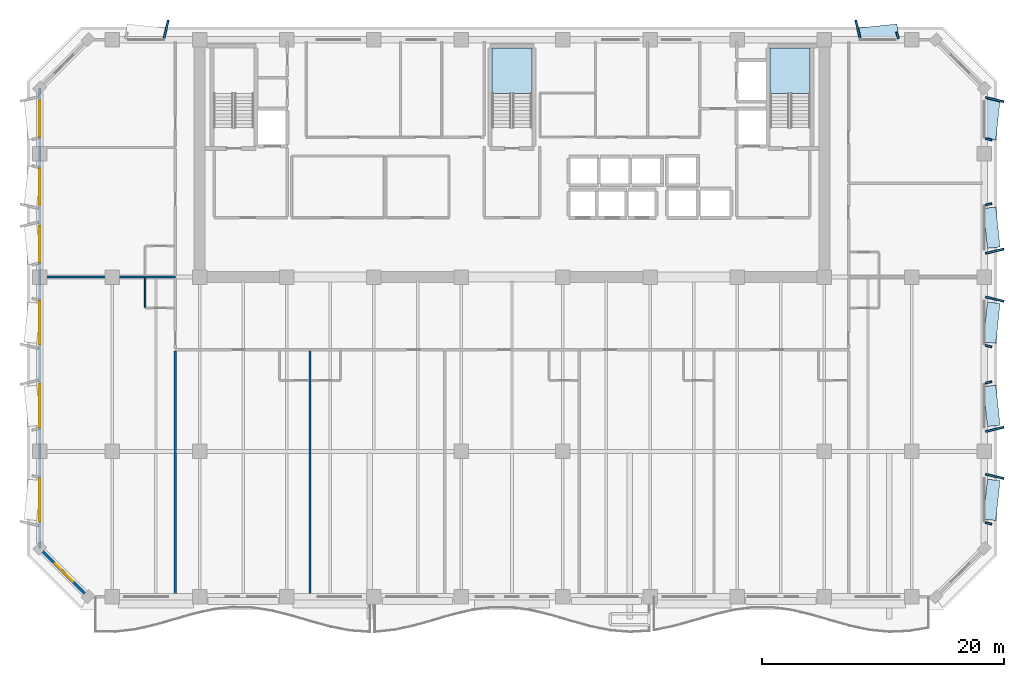
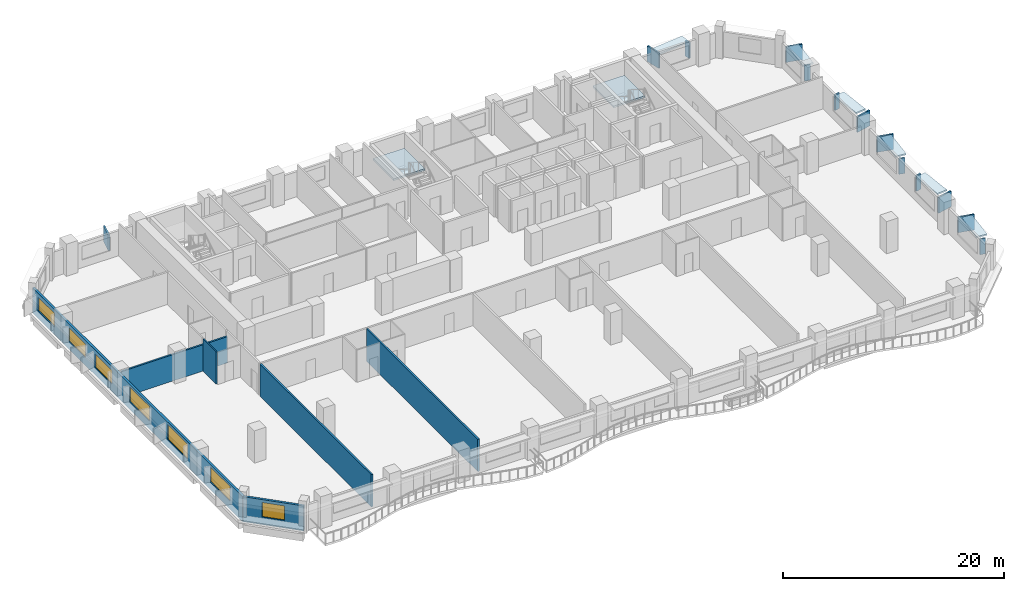
# One storey, part 3 of 14: 19 plates, 7 windows, 6 walls, 2 slabs, 7 openings, 2 elements without a shape of their own.
"""IFC4 building model written with IfcOpenShell, lengths in metres."""

from ifc_helpers import new_model, si_unit, direction, frame, frame_2d, origin, origin_2d, place, context, subcontext, project, spatial, polyline, rectangle, outline, extrude, material, layer, layer_set, type_object, element, fill, aggregate, save


model = new_model("IFC4")

# Units and contexts
model_context = context("Model", 3, precision=1e-05, world=origin(), true_north=direction((0.0, 1.0)))
body_context = subcontext(model_context, "Body", "Model", "MODEL_VIEW")
ifc_project = project(units=[si_unit("LENGTHUNIT", "METRE"), si_unit("AREAUNIT", "SQUARE_METRE"), si_unit("VOLUMEUNIT", "CUBIC_METRE"), si_unit("PLANEANGLEUNIT", "RADIAN"), si_unit("MASSUNIT", "GRAM", prefix="KILO")], contexts=[model_context])

# Site, building, storey
site_placement = place(None, origin())
site = spatial("IfcSite", under=ifc_project, at=site_placement, CompositionType="ELEMENT")
building_placement = place(site_placement, origin())
building = spatial("IfcBuilding", under=site, at=building_placement, Name="Kaelvorn Grand Hotel", CompositionType="ELEMENT")
storey_placement = place(building_placement, frame((0.0, 0.0, 201.550048828125)))
storey = spatial("IfcBuildingStorey", under=building, at=storey_placement, Name="L49", CompositionType="ELEMENT", Elevation=201.550048828125)

# Plates
ifc_material_1 = material(Name="Precast concrete C45/55", Category="concrete")
ifc_layer_1 = layer(ifc_material_1, 0.159912109375)
ifc_layer_set_1 = layer_set([ifc_layer_1], Name="Precast concrete C45/55")
plate_type_1 = type_object("IfcPlateType", Name="PL-FRAME-DEEP-1550", PredefinedType="USERDEFINED", material=ifc_layer_set_1)
for number, where, z_axis, x_axis, name in (
    (1, (81.85498046875, 12.93994140625, 0.81494140625), (0.0, 0.0, 1.0), (0.233445363856, 0.972369920398, 0.0), "L49 Tilted Precast Window Frame Fin R-E01"),
    (2, (81.85498046875, 16.824951171875, 0.81494140625), (0.0, 0.0, 1.0), (-0.233445363856, 0.972369920398, 0.0), "L49 Tilted Precast Window Frame Fin L-E02"),
    (3, (81.85498046875, 27.574951171875, 0.81494140625), (0.0, 0.0, 1.0), (0.233445363856, 0.972369920398, 0.0), "L49 Tilted Precast Window Frame Fin R-E03"),
    (4, (81.85498046875, 31.534912109375, 0.81494140625), (0.0, 0.0, 1.0), (-0.233445363856, 0.972369920398, 0.0), "L49 Tilted Precast Window Frame Fin L-E04"),
    (5, (81.85498046875, 44.054931640625, 0.73974609375), (0.0, 0.0, 1.0), (0.233445363856, 0.972369920398, 0.0), "L49 Tilted Precast Window Frame Fin R-E05"),
    (6, (13.43994140625, 49.85498046875, 0.73974609375), (0.0, 0.0, 1.0), (0.972369920398, -0.233445363856, 0.0), "L49 Tilted Precast Window Frame Fin R-N01"),
    (7, (70.56005859375, 49.85498046875, 0.73974609375), (0.0, 0.0, 1.0), (0.972369920398, 0.233445363856, 0.0), "L49 Tilted Precast Window Frame Fin L-N02"),
):
    element("IfcPlate", number, at=place(storey_placement, frame(where, z_axis=z_axis, x_axis=x_axis)), inside=storey, type_object=plate_type_1, Name=name, ObjectType="FLANGE_PLATE", PredefinedType="USERDEFINED", context=body_context, shape_type="SweptSolid", body=[
        extrude(rectangle(XDim=0.159912109375, YDim=1.550048828125, at=origin_2d()), origin(), (0.0, 0.0, 1.0), 1.719970703125),
    ])
ifc_layer_2 = layer(ifc_material_1, 0.159912109375)
ifc_layer_set_2 = layer_set([ifc_layer_2], Name="Precast concrete C45/55")
plate_type_2 = type_object("IfcPlateType", Name="PL-FRAME-HEAD-1050", PredefinedType="USERDEFINED", material=ifc_layer_set_2)
for number, where, z_axis, x_axis, name in (
    (8, (81.60498046875, 11.0, 2.5), (0.0, 0.0, 1.0), (0.105830199459, 0.994384215926, 0.0), "L49 Precast Window Frame Head Hood H-E01"),
    (9, (81.60498046875, 18.764892578125, 2.5), (0.0, 0.0, 1.0), (-0.105830199459, 0.994384215926, 0.0), "L49 Precast Window Frame Head Hood H-E02"),
    (10, (81.60498046875, 25.635009765625, 2.5), (0.0, 0.0, 1.0), (0.105830199459, 0.994384215926, 0.0), "L49 Precast Window Frame Head Hood H-E03"),
    (11, (81.60498046875, 33.47509765625, 2.5), (0.0, 0.0, 1.0), (-0.105830199459, 0.994384215926, 0.0), "L49 Precast Window Frame Head Hood H-E04"),
    (12, (81.60498046875, 42.4150390625, 2.35009765625), (0.0, 0.0, 1.0), (0.105830199459, 0.994384215926, 0.0), "L49 Precast Window Frame Head Hood H-E05"),
    (13, (72.199951171875, 49.60498046875, 2.35009765625), (0.0, 0.0, 1.0), (0.994384215926, 0.105830199459, 0.0), "L49 Precast Window Frame Head Hood H-N02"),
):
    element("IfcPlate", number, at=place(storey_placement, frame(where, z_axis=z_axis, x_axis=x_axis)), inside=storey, type_object=plate_type_2, Name=name, ObjectType="FLANGE_PLATE", PredefinedType="USERDEFINED", context=body_context, shape_type="SweptSolid", body=[
        extrude(rectangle(XDim=3.320068359375, YDim=1.050048828125, at=origin_2d()), origin(), (0.0, 0.0, 1.0), 0.159912109375),
    ])
ifc_layer_3 = layer(ifc_material_1, 0.159912109375)
ifc_layer_set_3 = layer_set([ifc_layer_3], Name="Precast concrete C45/55")
plate_type_3 = type_object("IfcPlateType", Name="PL-FRAME-SHAL-550", PredefinedType="USERDEFINED", material=ifc_layer_set_3)
for number, where, z_axis, x_axis, name in (
    (14, (81.35498046875, 9.06005859375, 0.81494140625), (0.0, 0.0, 1.0), (0.233445363856, 0.972369920398, 0.0), "L49 Tilted Precast Window Frame Fin L-E01"),
    (15, (81.35498046875, 20.705078125, 0.81494140625), (0.0, 0.0, 1.0), (-0.233445363856, 0.972369920398, 0.0), "L49 Tilted Precast Window Frame Fin R-E02"),
    (16, (81.35498046875, 23.695068359375, 0.81494140625), (0.0, 0.0, 1.0), (0.233445363856, 0.972369920398, 0.0), "L49 Tilted Precast Window Frame Fin L-E03"),
    (17, (81.35498046875, 35.4150390625, 0.81494140625), (0.0, 0.0, 1.0), (-0.233445363856, 0.972369920398, 0.0), "L49 Tilted Precast Window Frame Fin R-E04"),
    (18, (81.35498046875, 40.77490234375, 0.73974609375), (0.0, 0.0, 1.0), (0.233445363856, 0.972369920398, 0.0), "L49 Tilted Precast Window Frame Fin L-E05"),
    (19, (73.840087890625, 49.35498046875, 0.73974609375), (0.0, 0.0, 1.0), (0.972369920398, 0.233445363856, 0.0), "L49 Tilted Precast Window Frame Fin R-N02"),
):
    element("IfcPlate", number, at=place(storey_placement, frame(where, z_axis=z_axis, x_axis=x_axis)), inside=storey, type_object=plate_type_3, Name=name, ObjectType="FLANGE_PLATE", PredefinedType="USERDEFINED", context=body_context, shape_type="SweptSolid", body=[
        extrude(rectangle(XDim=0.159912109375, YDim=0.550048828125, at=origin_2d()), origin(), (0.0, 0.0, 1.0), 1.719970703125),
    ])

# Stair, slab
ifc_material_2 = material(Name="Concrete C40/50", Category="concrete")
stair_type = type_object("IfcStairType", Name="STR-DOG-1560-R08", PredefinedType="HALF_TURN_STAIR", material=ifc_material_2)
stair_1_placement = place(storey_placement, origin())
stair_1 = element("IfcStair", 20, at=stair_1_placement, inside=storey, type_object=stair_type, Name="L49 Central Core Exit Stair ST2", PredefinedType="HALF_TURN_STAIR")
ifc_layer_4 = layer(ifc_material_2, 0.199951171875)
ifc_layer_set_4 = layer_set([ifc_layer_4], Name="Concrete C40/50")
slab_type = type_object("IfcSlabType", Name="SLB-LAND-200-C40", PredefinedType="LANDING", material=ifc_layer_set_4)
slab_1_placement = place(storey_placement, frame((0.0, 0.0, 1.699951171875)))
slab_1 = element("IfcSlab", 21, at=slab_1_placement, type_object=slab_type, Name="ST2 landing 1", PredefinedType="LANDING", context=body_context, shape_type="SweptSolid", body=[
    extrude(outline(polyline([(43.639892578125, 44.56005859375), (43.639892578125, 48.300048828125), (40.360107421875, 48.300048828125), (40.360107421875, 44.56005859375), (43.639892578125, 44.56005859375)])), origin(), (0.0, 0.0, 1.0), 0.199951171875),
])
aggregate(stair_1, [slab_1])

stair_2_placement = place(storey_placement, origin())
stair_2 = element("IfcStair", 22, at=stair_2_placement, inside=storey, type_object=stair_type, Name="L49 East Core Exit Stair ST3", PredefinedType="HALF_TURN_STAIR")
slab_2_placement = place(storey_placement, frame((0.0, 0.0, 1.699951171875)))
slab_2 = element("IfcSlab", 23, at=slab_2_placement, type_object=slab_type, Name="ST3 landing 1", PredefinedType="LANDING", context=body_context, shape_type="SweptSolid", body=[
    extrude(outline(polyline([(66.60009765625, 44.56005859375), (66.60009765625, 48.300048828125), (63.320068359375, 48.300048828125), (63.320068359375, 44.56005859375), (66.60009765625, 44.56005859375)])), origin(), (0.0, 0.0, 1.0), 0.199951171875),
])
aggregate(stair_2, [slab_2])

# Wall, openings, windows
ifc_layer_5 = layer(ifc_material_2, 0.239990234375)
ifc_layer_set_5 = layer_set([ifc_layer_5], Name="Concrete C40/50")
wall_type_1 = type_object("IfcWallType", Name="WL-EXT-240-C40", PredefinedType="SOLIDWALL", material=ifc_layer_set_5)
wall_1_placement = place(storey_placement, frame((3.0, 45.0, 0.0), z_axis=(0.0, 0.0, 1.0), x_axis=(0.0, -1.0, 0.0)))
wall_1 = element("IfcWall", 24, at=wall_1_placement, inside=storey, type_object=wall_type_1, Name="L49 Exterior Architectural Concrete Wall 07", PredefinedType="SOLIDWALL", context=body_context, shape_type="SweptSolid", body=[
    extrude(rectangle(XDim=38.0, YDim=0.239990234375, at=frame_2d((19.0, 0.0))), origin(), (0.0, 0.0, 1.0), 2.760009765625),
])
opening_1_placement = place(wall_1_placement, frame((32.199951171875, 0.0, 0.85009765625)))
opening_1 = element("IfcOpeningElement", 25, at=opening_1_placement, cuts=wall_1, Name="Opening W3", PredefinedType="OPENING", context=body_context, shape_type="SweptSolid", body=[
    extrude(rectangle(XDim=3.60009765625, YDim=1.64990234375, at=frame_2d((1.800048828125, 0.824951171875))), frame((0.0, 0.1298828125, 0.0), z_axis=(0.0, -1.0, 0.0), x_axis=(1.0, 0.0, 0.0)), (0.0, 0.0, 1.0), 0.260009765625),
])
opening_2_placement = place(wall_1_placement, frame((24.43505859375, 0.0, 0.85009765625)))
opening_2 = element("IfcOpeningElement", 26, at=opening_2_placement, cuts=wall_1, Name="Opening W3", PredefinedType="OPENING", context=body_context, shape_type="SweptSolid", body=[
    extrude(rectangle(XDim=3.60009765625, YDim=1.64990234375, at=frame_2d((1.800048828125, 0.824951171875))), frame((0.0, 0.1298828125, 0.0), z_axis=(0.0, -1.0, 0.0), x_axis=(1.0, 0.0, 0.0)), (0.0, 0.0, 1.0), 0.260009765625),
])
opening_3_placement = place(wall_1_placement, frame((17.56494140625, 0.0, 0.85009765625)))
opening_3 = element("IfcOpeningElement", 27, at=opening_3_placement, cuts=wall_1, Name="Opening W3", PredefinedType="OPENING", context=body_context, shape_type="SweptSolid", body=[
    extrude(rectangle(XDim=3.60009765625, YDim=1.64990234375, at=frame_2d((1.800048828125, 0.824951171875))), frame((0.0, 0.1298828125, 0.0), z_axis=(0.0, -1.0, 0.0), x_axis=(1.0, 0.0, 0.0)), (0.0, 0.0, 1.0), 0.260009765625),
])
opening_4_placement = place(wall_1_placement, frame((11.385009765625, 0.0, 0.85009765625)))
opening_4 = element("IfcOpeningElement", 28, at=opening_4_placement, cuts=wall_1, Name="Opening W5", PredefinedType="OPENING", context=body_context, shape_type="SweptSolid", body=[
    extrude(rectangle(XDim=3.0, YDim=1.5, at=frame_2d((1.5, 0.75))), frame((0.0, 0.1298828125, 0.0), z_axis=(0.0, -1.0, 0.0), x_axis=(1.0, 0.0, 0.0)), (0.0, 0.0, 1.0), 0.260009765625),
])
opening_5_placement = place(wall_1_placement, frame((6.614990234375, 0.0, 0.85009765625)))
opening_5 = element("IfcOpeningElement", 29, at=opening_5_placement, cuts=wall_1, Name="Opening W5", PredefinedType="OPENING", context=body_context, shape_type="SweptSolid", body=[
    extrude(rectangle(XDim=3.0, YDim=1.5, at=frame_2d((1.5, 0.75))), frame((0.0, 0.1298828125, 0.0), z_axis=(0.0, -1.0, 0.0), x_axis=(1.0, 0.0, 0.0)), (0.0, 0.0, 1.0), 0.260009765625),
])
opening_6_placement = place(wall_1_placement, frame((1.034912109375, 0.0, 0.85009765625)))
opening_6 = element("IfcOpeningElement", 30, at=opening_6_placement, cuts=wall_1, Name="Opening W5", PredefinedType="OPENING", context=body_context, shape_type="SweptSolid", body=[
    extrude(rectangle(XDim=3.0, YDim=1.5, at=frame_2d((1.5, 0.75))), frame((0.0, 0.1298828125, 0.0), z_axis=(0.0, -1.0, 0.0), x_axis=(1.0, 0.0, 0.0)), (0.0, 0.0, 1.0), 0.260009765625),
])
ifc_material_3 = material(Name="Laminated Low-E Glass", Category="glass")
window_type_1 = type_object("IfcWindowType", Name="WIN-NTH-3000x1500", PartitioningType="SINGLE_PANEL", PredefinedType="WINDOW", material=ifc_material_3)
window_1_placement = place(opening_4_placement, origin())
window_1 = element("IfcWindow", 31, at=window_1_placement, inside=storey, type_object=window_type_1, Name="L49 W Wing Tilted-Frame Ribbon Window W04", OverallHeight=1.5, OverallWidth=3.0, PartitioningType="SINGLE_PANEL", PredefinedType="WINDOW", context=body_context, shape_type="SweptSolid", body=[
    extrude(rectangle(XDim=3.0, YDim=1.5, at=frame_2d((1.5, 0.75))), frame((0.0, 0.030029296875, 0.0), z_axis=(0.0, -1.0, 0.0), x_axis=(1.0, 0.0, 0.0)), (0.0, 0.0, 1.0), 0.06005859375),
])
fill(opening_4, window_1)
window_2_placement = place(opening_5_placement, origin())
window_2 = element("IfcWindow", 32, at=window_2_placement, inside=storey, type_object=window_type_1, Name="L49 W Wing Tilted-Frame Ribbon Window W05", OverallHeight=1.5, OverallWidth=3.0, PartitioningType="SINGLE_PANEL", PredefinedType="WINDOW", context=body_context, shape_type="SweptSolid", body=[
    extrude(rectangle(XDim=3.0, YDim=1.5, at=frame_2d((1.5, 0.75))), frame((0.0, 0.030029296875, 0.0), z_axis=(0.0, -1.0, 0.0), x_axis=(1.0, 0.0, 0.0)), (0.0, 0.0, 1.0), 0.06005859375),
])
fill(opening_5, window_2)
window_3_placement = place(opening_6_placement, origin())
window_3 = element("IfcWindow", 33, at=window_3_placement, inside=storey, type_object=window_type_1, Name="L49 W Wing Tilted-Frame Ribbon Window W06", OverallHeight=1.5, OverallWidth=3.0, PartitioningType="SINGLE_PANEL", PredefinedType="WINDOW", context=body_context, shape_type="SweptSolid", body=[
    extrude(rectangle(XDim=3.0, YDim=1.5, at=frame_2d((1.5, 0.75))), frame((0.0, 0.030029296875, 0.0), z_axis=(0.0, -1.0, 0.0), x_axis=(1.0, 0.0, 0.0)), (0.0, 0.0, 1.0), 0.06005859375),
])
fill(opening_6, window_3)
window_type_2 = type_object("IfcWindowType", Name="WIN-RIB-3600x1750", PartitioningType="SINGLE_PANEL", PredefinedType="WINDOW", material=ifc_material_3)
window_4_placement = place(opening_1_placement, origin())
window_4 = element("IfcWindow", 34, at=window_4_placement, inside=storey, type_object=window_type_2, Name="L49 W Wing Tilted-Frame Ribbon Window W01", OverallHeight=1.64990234375, OverallWidth=3.60009765625, PartitioningType="SINGLE_PANEL", PredefinedType="WINDOW", context=body_context, shape_type="SweptSolid", body=[
    extrude(rectangle(XDim=3.60009765625, YDim=1.64990234375, at=frame_2d((1.800048828125, 0.824951171875))), frame((0.0, 0.030029296875, 0.0), z_axis=(0.0, -1.0, 0.0), x_axis=(1.0, 0.0, 0.0)), (0.0, 0.0, 1.0), 0.06005859375),
])
fill(opening_1, window_4)
window_5_placement = place(opening_2_placement, origin())
window_5 = element("IfcWindow", 35, at=window_5_placement, inside=storey, type_object=window_type_2, Name="L49 W Wing Tilted-Frame Ribbon Window W02", OverallHeight=1.64990234375, OverallWidth=3.60009765625, PartitioningType="SINGLE_PANEL", PredefinedType="WINDOW", context=body_context, shape_type="SweptSolid", body=[
    extrude(rectangle(XDim=3.60009765625, YDim=1.64990234375, at=frame_2d((1.800048828125, 0.824951171875))), frame((0.0, 0.030029296875, 0.0), z_axis=(0.0, -1.0, 0.0), x_axis=(1.0, 0.0, 0.0)), (0.0, 0.0, 1.0), 0.06005859375),
])
fill(opening_2, window_5)
window_6_placement = place(opening_3_placement, origin())
window_6 = element("IfcWindow", 36, at=window_6_placement, inside=storey, type_object=window_type_2, Name="L49 W Wing Tilted-Frame Ribbon Window W03", OverallHeight=1.64990234375, OverallWidth=3.60009765625, PartitioningType="SINGLE_PANEL", PredefinedType="WINDOW", context=body_context, shape_type="SweptSolid", body=[
    extrude(rectangle(XDim=3.60009765625, YDim=1.64990234375, at=frame_2d((1.800048828125, 0.824951171875))), frame((0.0, 0.030029296875, 0.0), z_axis=(0.0, -1.0, 0.0), x_axis=(1.0, 0.0, 0.0)), (0.0, 0.0, 1.0), 0.06005859375),
])
fill(opening_3, window_6)

# Wall, opening, window
wall_2_placement = place(storey_placement, frame((3.0, 7.0, 0.0), z_axis=(0.0, 0.0, 1.0), x_axis=(0.707106781187, -0.707106781187, 0.0)))
wall_2 = element("IfcWall", 37, at=wall_2_placement, inside=storey, type_object=wall_type_1, Name="L49 Exterior Architectural Concrete Wall 08", PredefinedType="SOLIDWALL", context=body_context, shape_type="SweptSolid", body=[
    extrude(rectangle(XDim=5.65673828125, YDim=0.239990234375, at=frame_2d((2.828369140625, 0.0))), origin(), (0.0, 0.0, 1.0), 2.760009765625),
])
opening_7_placement = place(wall_2_placement, frame((1.7783203125, 0.0, 0.85009765625)))
opening_7 = element("IfcOpeningElement", 38, at=opening_7_placement, cuts=wall_2, Name="Opening W7", PredefinedType="OPENING", context=body_context, shape_type="SweptSolid", body=[
    extrude(rectangle(XDim=2.10009765625, YDim=1.60009765625, at=frame_2d((1.050048828125, 0.800048828125))), frame((0.0, 0.1298828125, 0.0), z_axis=(0.0, -1.0, 0.0), x_axis=(1.0, 0.0, 0.0)), (0.0, 0.0, 1.0), 0.260009765625),
])
window_type_3 = type_object("IfcWindowType", Name="WIN-CHM-2100x1600", PartitioningType="SINGLE_PANEL", PredefinedType="WINDOW", material=ifc_material_3)
window_7_placement = place(opening_7_placement, origin())
window_7 = element("IfcWindow", 39, at=window_7_placement, inside=storey, type_object=window_type_3, Name="L49 Chamfered 45-Degree Corner Window SW", OverallHeight=1.60009765625, OverallWidth=2.10009765625, PartitioningType="SINGLE_PANEL", PredefinedType="WINDOW", context=body_context, shape_type="SweptSolid", body=[
    extrude(rectangle(XDim=2.10009765625, YDim=1.60009765625, at=frame_2d((1.050048828125, 0.800048828125))), frame((0.0, 0.030029296875, 0.0), z_axis=(0.0, -1.0, 0.0), x_axis=(1.0, 0.0, 0.0)), (0.0, 0.0, 1.0), 0.06005859375),
])
fill(opening_7, window_7)

# Walls
ifc_material_4 = material(Name="Moisture-Resistant Tile & Stud Board")
ifc_layer_6 = layer(ifc_material_4, 0.125)
ifc_layer_set_6 = layer_set([ifc_layer_6], Name="Moisture-Resistant Tile & Stud Board")
wall_type_2 = type_object("IfcWallType", Name="WL-PART-125-WET", PredefinedType="PARTITIONING", material=ifc_layer_set_6)
wall_3_placement = place(storey_placement, frame((11.699951171875, 26.91748046875, 0.0), z_axis=(0.0, 0.0, 1.0), x_axis=(0.0, 1.0, 0.0)))
element("IfcWall", 40, at=wall_3_placement, inside=storey, type_object=wall_type_2, Name="L49 En-suite Bathroom L49-06 W Partition", PredefinedType="PARTITIONING", context=body_context, shape_type="SweptSolid", body=[
    extrude(rectangle(XDim=2.387451171875, YDim=0.125, at=frame_2d((1.19384765625, 0.0))), origin(), (0.0, 0.0, 1.0), 3.56005859375),
])
ifc_material_5 = material(Name="Acoustic Gypsum & Stud Partition")
ifc_layer_7 = layer(ifc_material_5, 0.179931640625)
ifc_layer_set_7 = layer_set([ifc_layer_7], Name="Acoustic Gypsum & Stud Partition")
wall_type_3 = type_object("IfcWallType", Name="WL-PART-180-EI60", PredefinedType="PARTITIONING", material=ifc_layer_set_7)
for number, where, z_axis, x_axis, name in (
    (41, (14.199951171875, 3.14990234375, 0.0), (0.0, 0.0, 1.0), (0.0, 1.0, 0.0), "L49 Mid-Rise Signature Suite L49-01 W Partition"),
    (42, (25.320068359375, 3.14990234375, 0.0), (0.0, 0.0, 1.0), (0.0, 1.0, 0.0), "L49 Mid-Rise Signature Suite L49-01 E Partition"),
):
    element("IfcWall", number, at=place(storey_placement, frame(where, z_axis=z_axis, x_axis=x_axis)), inside=storey, type_object=wall_type_3, Name=name, PredefinedType="PARTITIONING", context=body_context, shape_type="SweptSolid", body=[
        extrude(rectangle(XDim=20.155029296875, YDim=0.179931640625, at=frame_2d((10.07763671875, 0.0))), origin(), (0.0, 0.0, 1.0), 3.56005859375),
    ])
wall_4_placement = place(storey_placement, frame((3.14990234375, 29.39990234375, 0.0), z_axis=(0.0, 0.0, 1.0), x_axis=(1.0, 0.0, 0.0)))
element("IfcWall", 43, at=wall_4_placement, inside=storey, type_object=wall_type_3, Name="L49 Presidential Sky Suite L49-06 N Partition", PredefinedType="PARTITIONING", context=body_context, shape_type="SweptSolid", body=[
    extrude(rectangle(XDim=11.050048828125, YDim=0.179931640625, at=frame_2d((5.52490234375, 0.0))), origin(), (0.0, 0.0, 1.0), 2.909912109375),
])

save(model, "model.ifc")
